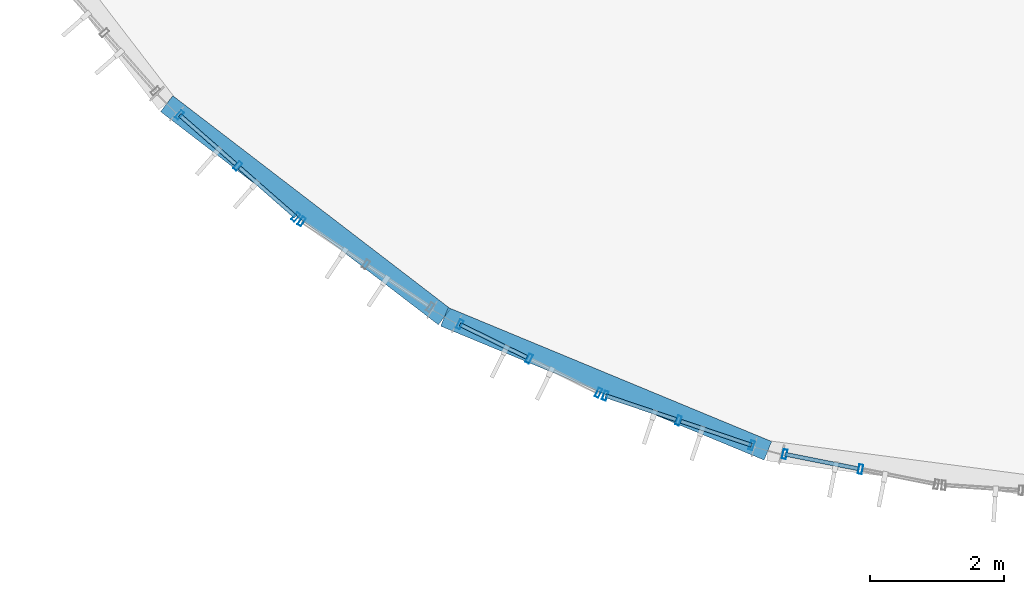
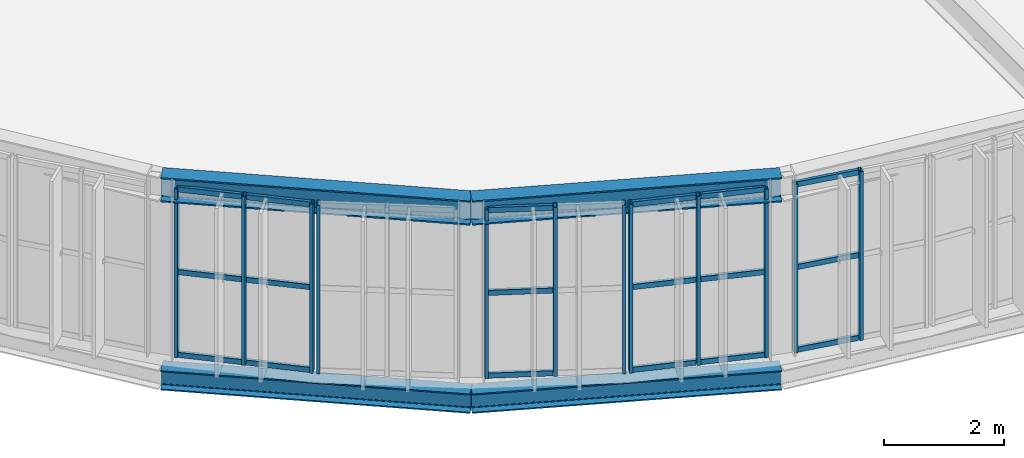
# One storey, part 13 of 152: 30 members, 4 beams, 5 elements without a shape of their own.
"""IFC4 building model written with IfcOpenShell, lengths in metres."""

from ifc_helpers import new_model, si_unit, derived_unit, direction, frame, origin, origin_2d, place, context, subcontext, project, spatial, hollow_rectangle, i_section, extrude, material, material_profile, profile_set, type_object, element, aggregate, save


model = new_model("IFC4")

# Units and contexts
model_context = context("Model", 3, precision=1e-05, world=origin(), true_north=direction((0.0, 1.0)))
body_context = subcontext(model_context, "Body", "Model", "MODEL_VIEW")
ifc_project = project(units=[si_unit("LENGTHUNIT", "METRE"), si_unit("AREAUNIT", "SQUARE_METRE"), si_unit("VOLUMEUNIT", "CUBIC_METRE"), si_unit("PLANEANGLEUNIT", "RADIAN"), si_unit("MASSUNIT", "GRAM", prefix="KILO"), si_unit("THERMODYNAMICTEMPERATUREUNIT", "KELVIN"), si_unit("TIMEUNIT", "SECOND"), derived_unit("THERMALTRANSMITTANCEUNIT", [(si_unit("MASSUNIT", "GRAM", prefix="KILO"), 1), (si_unit("THERMODYNAMICTEMPERATUREUNIT", "KELVIN"), -1), (si_unit("TIMEUNIT", "SECOND"), -3)])], contexts=[model_context])

# Site, building, storey
site_placement = place(None, origin())
site = spatial("IfcSite", under=ifc_project, at=site_placement, CompositionType="ELEMENT")
building_placement = place(site_placement, origin())
building = spatial("IfcBuilding", under=site, at=building_placement, Name="Cambertide Market Hall", CompositionType="ELEMENT")
storey_placement = place(building_placement, frame((0.0, 0.0, 5.39990234375)))
storey = spatial("IfcBuildingStorey", under=building, at=storey_placement, Name="L02", CompositionType="ELEMENT", Elevation=5.39990234375)

# Curtain wall, members
ifc_material_1 = material(Name="Marine Anodized Aluminium 6063-T6 AA25", Category="aluminium")
curtain_wall_type = type_object("IfcCurtainWallType", Name="Lantern Apse Chord Upper Curtain Wall", PredefinedType="USERDEFINED", material=ifc_material_1)
curtain_wall_1_placement = place(storey_placement, origin())
curtain_wall_1 = element("IfcCurtainWall", 1, at=curtain_wall_1_placement, inside=storey, type_object=curtain_wall_type, Name="Level 2 Curtain Wall CW-V1AW-L02-19", ObjectType="UNITIZED CURTAIN WALL", PredefinedType="USERDEFINED")
ifc_material_2 = material(Name="Champagne Marine Anodized Aluminium 6063-T6 AA25", Category="aluminium")
ifc_material_profile_1 = material_profile(ifc_material_2, hollow_rectangle(XDim=0.06005859375, YDim=0.139892578125, WallThickness=0.00341796875, at=origin_2d()), Name="ALU MULLION 60x140")
ifc_profile_set_1 = profile_set([ifc_material_profile_1], Name="Champagne Marine Anodized Aluminium 6063-T6 AA25")
member_type_1 = type_object("IfcMemberType", Name="Curtain Wall Mullion ALU MULLION 60x140", PredefinedType="MULLION", material=ifc_profile_set_1)
member_1_placement = place(storey_placement, frame((29.783447265625, 56.169189453125, 0.0), z_axis=(0.0, 0.0, 1.0), x_axis=(-0.751839834741, 0.659345784014, 0.0)))
member_1 = element("IfcMember", 2, at=member_1_placement, type_object=member_type_1, Name="CW-V1AW-L02-19 Mullion 1", PredefinedType="MULLION", context=body_context, shape_type="SweptSolid", body=[
    extrude(hollow_rectangle(XDim=0.06005859375, YDim=0.139892578125, WallThickness=0.00341796875, at=origin_2d()), origin(), (0.0, 0.0, 1.0), 3.4501953125),
])
member_2_placement = place(storey_placement, frame((28.91650390625, 56.929443359375, 0.0), z_axis=(0.0, 0.0, 1.0), x_axis=(-0.751839834741, 0.659345784014, 0.0)))
member_2 = element("IfcMember", 3, at=member_2_placement, type_object=member_type_1, Name="CW-V1AW-L02-19 Mullion 2", PredefinedType="MULLION", context=body_context, shape_type="SweptSolid", body=[
    extrude(hollow_rectangle(XDim=0.06005859375, YDim=0.139892578125, WallThickness=0.00341796875, at=origin_2d()), origin(), (0.0, 0.0, 1.0), 3.4501953125),
])
member_3_placement = place(storey_placement, frame((28.049560546875, 57.689697265625, 0.0), z_axis=(0.0, 0.0, 1.0), x_axis=(-0.751839834741, 0.659345784014, 0.0)))
member_3 = element("IfcMember", 4, at=member_3_placement, type_object=member_type_1, Name="CW-V1AW-L02-19 Mullion 3", PredefinedType="MULLION", context=body_context, shape_type="SweptSolid", body=[
    extrude(hollow_rectangle(XDim=0.06005859375, YDim=0.139892578125, WallThickness=0.00341796875, at=origin_2d()), origin(), (0.0, 0.0, 1.0), 3.4501953125),
])

# Curtain wall, member
curtain_wall_2_placement = place(storey_placement, origin())
curtain_wall_2 = element("IfcCurtainWall", 5, at=curtain_wall_2_placement, inside=storey, type_object=curtain_wall_type, Name="Level 2 Curtain Wall CW-V1AW-L02-20", ObjectType="UNITIZED CURTAIN WALL", PredefinedType="USERDEFINED")
member_4_placement = place(storey_placement, frame((29.87060546875, 56.102294921875, 0.0), z_axis=(0.0, 0.0, 1.0), x_axis=(-0.831469709481, 0.555570087582, 0.0)))
member_4 = element("IfcMember", 6, at=member_4_placement, type_object=member_type_1, Name="CW-V1AW-L02-20 Mullion 3", PredefinedType="MULLION", context=body_context, shape_type="SweptSolid", body=[
    extrude(hollow_rectangle(XDim=0.06005859375, YDim=0.139892578125, WallThickness=0.00341796875, at=origin_2d()), origin(), (0.0, 0.0, 1.0), 3.4501953125),
])
aggregate(curtain_wall_2, [member_4])

# Curtain wall, members
curtain_wall_3_placement = place(storey_placement, origin())
curtain_wall_3 = element("IfcCurtainWall", 7, at=curtain_wall_3_placement, inside=storey, type_object=curtain_wall_type, Name="Level 2 Curtain Wall CW-V1AW-L02-21", ObjectType="UNITIZED CURTAIN WALL", PredefinedType="USERDEFINED")
member_5_placement = place(storey_placement, frame((34.297119140625, 53.546630859375, 0.0), z_axis=(0.0, 0.0, 1.0), x_axis=(-0.896872650645, 0.442288874522, 0.0)))
member_5 = element("IfcMember", 8, at=member_5_placement, type_object=member_type_1, Name="CW-V1AW-L02-21 Mullion 1", PredefinedType="MULLION", context=body_context, shape_type="SweptSolid", body=[
    extrude(hollow_rectangle(XDim=0.06005859375, YDim=0.139892578125, WallThickness=0.00341796875, at=origin_2d()), origin(), (0.0, 0.0, 1.0), 3.4501953125),
])
member_6_placement = place(storey_placement, frame((33.262939453125, 54.056640625, 0.0), z_axis=(0.0, 0.0, 1.0), x_axis=(-0.896872650645, 0.442288874522, 0.0)))
member_6 = element("IfcMember", 9, at=member_6_placement, type_object=member_type_1, Name="CW-V1AW-L02-21 Mullion 2", PredefinedType="MULLION", context=body_context, shape_type="SweptSolid", body=[
    extrude(hollow_rectangle(XDim=0.06005859375, YDim=0.139892578125, WallThickness=0.00341796875, at=origin_2d()), origin(), (0.0, 0.0, 1.0), 3.4501953125),
])
member_7_placement = place(storey_placement, frame((32.228759765625, 54.566650390625, 0.0), z_axis=(0.0, 0.0, 1.0), x_axis=(-0.896872650645, 0.442288874522, 0.0)))
member_7 = element("IfcMember", 10, at=member_7_placement, type_object=member_type_1, Name="CW-V1AW-L02-21 Mullion 3", PredefinedType="MULLION", context=body_context, shape_type="SweptSolid", body=[
    extrude(hollow_rectangle(XDim=0.06005859375, YDim=0.139892578125, WallThickness=0.00341796875, at=origin_2d()), origin(), (0.0, 0.0, 1.0), 3.4501953125),
])

curtain_wall_4_placement = place(storey_placement, origin())
curtain_wall_4 = element("IfcCurtainWall", 11, at=curtain_wall_4_placement, inside=storey, type_object=curtain_wall_type, Name="Level 2 Curtain Wall CW-V1AW-L02-22", ObjectType="UNITIZED CURTAIN WALL", PredefinedType="USERDEFINED")
member_8_placement = place(storey_placement, frame((36.58203125, 52.763427734375, 0.0), z_axis=(0.0, 0.0, 1.0), x_axis=(-0.94693012508, 0.32143947831, 0.0)))
member_8 = element("IfcMember", 12, at=member_8_placement, type_object=member_type_1, Name="CW-V1AW-L02-22 Mullion 1", PredefinedType="MULLION", context=body_context, shape_type="SweptSolid", body=[
    extrude(hollow_rectangle(XDim=0.06005859375, YDim=0.139892578125, WallThickness=0.00341796875, at=origin_2d()), origin(), (0.0, 0.0, 1.0), 3.4501953125),
])
member_9_placement = place(storey_placement, frame((35.490234375, 53.134033203125, 0.0), z_axis=(0.0, 0.0, 1.0), x_axis=(-0.94693012508, 0.32143947831, 0.0)))
member_9 = element("IfcMember", 13, at=member_9_placement, type_object=member_type_1, Name="CW-V1AW-L02-22 Mullion 2", PredefinedType="MULLION", context=body_context, shape_type="SweptSolid", body=[
    extrude(hollow_rectangle(XDim=0.06005859375, YDim=0.139892578125, WallThickness=0.00341796875, at=origin_2d()), origin(), (0.0, 0.0, 1.0), 3.4501953125),
])
member_10_placement = place(storey_placement, frame((34.3984375, 53.504638671875, 0.0), z_axis=(0.0, 0.0, 1.0), x_axis=(-0.94693012508, 0.32143947831, 0.0)))
member_10 = element("IfcMember", 14, at=member_10_placement, type_object=member_type_1, Name="CW-V1AW-L02-22 Mullion 3", PredefinedType="MULLION", context=body_context, shape_type="SweptSolid", body=[
    extrude(hollow_rectangle(XDim=0.06005859375, YDim=0.139892578125, WallThickness=0.00341796875, at=origin_2d()), origin(), (0.0, 0.0, 1.0), 3.4501953125),
])

curtain_wall_5_placement = place(storey_placement, origin())
curtain_wall_5 = element("IfcCurtainWall", 15, at=curtain_wall_5_placement, inside=storey, type_object=curtain_wall_type, Name="Level 2 Curtain Wall CW-V1AW-L02-23", ObjectType="UNITIZED CURTAIN WALL", PredefinedType="USERDEFINED")
member_11_placement = place(storey_placement, frame((38.20458984375, 52.40673828125, 0.0), z_axis=(0.0, 0.0, 1.0), x_axis=(-0.980785330885, 0.195090068226, 0.0)))
member_11 = element("IfcMember", 16, at=member_11_placement, type_object=member_type_1, Name="CW-V1AW-L02-23 Mullion 2", PredefinedType="MULLION", context=body_context, shape_type="SweptSolid", body=[
    extrude(hollow_rectangle(XDim=0.06005859375, YDim=0.139892578125, WallThickness=0.00341796875, at=origin_2d()), origin(), (0.0, 0.0, 1.0), 3.4501953125),
])
member_12_placement = place(storey_placement, frame((37.07373046875, 52.6318359375, 0.0), z_axis=(0.0, 0.0, 1.0), x_axis=(-0.980785330885, 0.195090068226, 0.0)))
member_12 = element("IfcMember", 17, at=member_12_placement, type_object=member_type_1, Name="CW-V1AW-L02-23 Mullion 3", PredefinedType="MULLION", context=body_context, shape_type="SweptSolid", body=[
    extrude(hollow_rectangle(XDim=0.06005859375, YDim=0.139892578125, WallThickness=0.00341796875, at=origin_2d()), origin(), (0.0, 0.0, 1.0), 3.4501953125),
])

# Member
ifc_material_3 = material(Name="Champagne Marine Anodized Aluminium 6063-T6 AA25", Category="aluminium")
ifc_material_profile_2 = material_profile(ifc_material_3, hollow_rectangle(XDim=0.06005859375, YDim=0.10498046875, WallThickness=0.0029296875, at=origin_2d()), Name="ALU TRANSOM 60x105")
ifc_profile_set_2 = profile_set([ifc_material_profile_2], Name="Champagne Marine Anodized Aluminium 6063-T6 AA25")
member_type_2 = type_object("IfcMemberType", Name="Curtain Wall Transom ALU TRANSOM 60x105", PredefinedType="USERDEFINED", material=ifc_profile_set_2)
member_13_placement = place(storey_placement, frame((29.779541015625, 56.172607421875, 0.03515625), z_axis=(-0.751866427049, 0.659315460062, 0.0), x_axis=(-0.659315460062, -0.751866427049, 0.0)))
member_13 = element("IfcMember", 18, at=member_13_placement, type_object=member_type_2, Name="CW-V1AW-L02-19 Transom 1-1", ObjectType="TRANSOM", PredefinedType="USERDEFINED", context=body_context, shape_type="SweptSolid", body=[
    extrude(hollow_rectangle(XDim=0.06005859375, YDim=0.10498046875, WallThickness=0.0029296875, at=origin_2d()), origin(), (0.0, 0.0, 1.0), 1.10791015625),
])

member_14_placement = place(storey_placement, frame((28.886474609375, 56.955810546875, 0.03515625), z_axis=(-0.751852984677, 0.659330789082, 0.0), x_axis=(-0.659330789082, -0.751852984677, 0.0)))
member_14 = element("IfcMember", 19, at=member_14_placement, type_object=member_type_2, Name="CW-V1AW-L02-19 Transom 1-2", ObjectType="TRANSOM", PredefinedType="USERDEFINED", context=body_context, shape_type="SweptSolid", body=[
    extrude(hollow_rectangle(XDim=0.06005859375, YDim=0.10498046875, WallThickness=0.0029296875, at=origin_2d()), origin(), (0.0, 0.0, 1.0), 1.108154296875),
])

member_15_placement = place(storey_placement, frame((29.779541015625, 56.172607421875, 1.72509765625), z_axis=(-0.751866427049, 0.659315460062, 0.0), x_axis=(-0.659315460062, -0.751866427049, 0.0)))
member_15 = element("IfcMember", 20, at=member_15_placement, type_object=member_type_2, Name="CW-V1AW-L02-19 Transom 2-1", ObjectType="TRANSOM", PredefinedType="USERDEFINED", context=body_context, shape_type="SweptSolid", body=[
    extrude(hollow_rectangle(XDim=0.06005859375, YDim=0.10498046875, WallThickness=0.0029296875, at=origin_2d()), origin(), (0.0, 0.0, 1.0), 1.10791015625),
])

member_16_placement = place(storey_placement, frame((28.886474609375, 56.955810546875, 1.72509765625), z_axis=(-0.751852984677, 0.659330789082, 0.0), x_axis=(-0.659330789082, -0.751852984677, 0.0)))
member_16 = element("IfcMember", 21, at=member_16_placement, type_object=member_type_2, Name="CW-V1AW-L02-19 Transom 2-2", ObjectType="TRANSOM", PredefinedType="USERDEFINED", context=body_context, shape_type="SweptSolid", body=[
    extrude(hollow_rectangle(XDim=0.06005859375, YDim=0.10498046875, WallThickness=0.0029296875, at=origin_2d()), origin(), (0.0, 0.0, 1.0), 1.108154296875),
])

member_17_placement = place(storey_placement, frame((29.779541015625, 56.172607421875, 3.4150390625), z_axis=(-0.751866427049, 0.659315460062, 0.0), x_axis=(-0.659315460062, -0.751866427049, 0.0)))
member_17 = element("IfcMember", 22, at=member_17_placement, type_object=member_type_2, Name="CW-V1AW-L02-19 Transom 3-1", ObjectType="TRANSOM", PredefinedType="USERDEFINED", context=body_context, shape_type="SweptSolid", body=[
    extrude(hollow_rectangle(XDim=0.06005859375, YDim=0.10498046875, WallThickness=0.0029296875, at=origin_2d()), origin(), (0.0, 0.0, 1.0), 1.10791015625),
])

member_18_placement = place(storey_placement, frame((28.886474609375, 56.955810546875, 3.4150390625), z_axis=(-0.751852984677, 0.659330789082, 0.0), x_axis=(-0.659330789082, -0.751852984677, 0.0)))
member_18 = element("IfcMember", 23, at=member_18_placement, type_object=member_type_2, Name="CW-V1AW-L02-19 Transom 3-2", ObjectType="TRANSOM", PredefinedType="USERDEFINED", context=body_context, shape_type="SweptSolid", body=[
    extrude(hollow_rectangle(XDim=0.06005859375, YDim=0.10498046875, WallThickness=0.0029296875, at=origin_2d()), origin(), (0.0, 0.0, 1.0), 1.108154296875),
])

aggregate(curtain_wall_1, [member_1, member_2, member_3, member_13, member_14, member_15, member_16, member_17, member_18])

member_19_placement = place(storey_placement, frame((33.22705078125, 54.074462890625, 0.03515625), z_axis=(-0.896924738521, 0.442183235129, 0.0), x_axis=(-0.442183235129, -0.896924738521, 0.0)))
member_19 = element("IfcMember", 24, at=member_19_placement, type_object=member_type_2, Name="CW-V1AW-L02-21 Transom 1-2", ObjectType="TRANSOM", PredefinedType="USERDEFINED", context=body_context, shape_type="SweptSolid", body=[
    extrude(hollow_rectangle(XDim=0.06005859375, YDim=0.10498046875, WallThickness=0.0029296875, at=origin_2d()), origin(), (0.0, 0.0, 1.0), 1.108154296875),
])

member_20_placement = place(storey_placement, frame((33.22705078125, 54.074462890625, 1.72509765625), z_axis=(-0.896924738521, 0.442183235129, 0.0), x_axis=(-0.442183235129, -0.896924738521, 0.0)))
member_20 = element("IfcMember", 25, at=member_20_placement, type_object=member_type_2, Name="CW-V1AW-L02-21 Transom 2-2", ObjectType="TRANSOM", PredefinedType="USERDEFINED", context=body_context, shape_type="SweptSolid", body=[
    extrude(hollow_rectangle(XDim=0.06005859375, YDim=0.10498046875, WallThickness=0.0029296875, at=origin_2d()), origin(), (0.0, 0.0, 1.0), 1.108154296875),
])

member_21_placement = place(storey_placement, frame((33.22705078125, 54.074462890625, 3.4150390625), z_axis=(-0.896924738521, 0.442183235129, 0.0), x_axis=(-0.442183235129, -0.896924738521, 0.0)))
member_21 = element("IfcMember", 26, at=member_21_placement, type_object=member_type_2, Name="CW-V1AW-L02-21 Transom 3-2", ObjectType="TRANSOM", PredefinedType="USERDEFINED", context=body_context, shape_type="SweptSolid", body=[
    extrude(hollow_rectangle(XDim=0.06005859375, YDim=0.10498046875, WallThickness=0.0029296875, at=origin_2d()), origin(), (0.0, 0.0, 1.0), 1.108154296875),
])

aggregate(curtain_wall_3, [member_5, member_6, member_7, member_19, member_20, member_21])

member_22_placement = place(storey_placement, frame((36.577392578125, 52.76513671875, 0.03515625), z_axis=(-0.946928413037, 0.321444521782, 0.0), x_axis=(-0.321444521782, -0.946928413037, 0.0)))
member_22 = element("IfcMember", 27, at=member_22_placement, type_object=member_type_2, Name="CW-V1AW-L02-22 Transom 1-1", ObjectType="TRANSOM", PredefinedType="USERDEFINED", context=body_context, shape_type="SweptSolid", body=[
    extrude(hollow_rectangle(XDim=0.06005859375, YDim=0.10498046875, WallThickness=0.0029296875, at=origin_2d()), origin(), (0.0, 0.0, 1.0), 1.108154296875),
])

member_23_placement = place(storey_placement, frame((35.452392578125, 53.14697265625, 0.03515625), z_axis=(-0.946928413037, 0.321444521782, 0.0), x_axis=(-0.321444521782, -0.946928413037, 0.0)))
member_23 = element("IfcMember", 28, at=member_23_placement, type_object=member_type_2, Name="CW-V1AW-L02-22 Transom 1-2", ObjectType="TRANSOM", PredefinedType="USERDEFINED", context=body_context, shape_type="SweptSolid", body=[
    extrude(hollow_rectangle(XDim=0.06005859375, YDim=0.10498046875, WallThickness=0.0029296875, at=origin_2d()), origin(), (0.0, 0.0, 1.0), 1.108154296875),
])

member_24_placement = place(storey_placement, frame((36.577392578125, 52.76513671875, 1.72509765625), z_axis=(-0.946928413037, 0.321444521782, 0.0), x_axis=(-0.321444521782, -0.946928413037, 0.0)))
member_24 = element("IfcMember", 29, at=member_24_placement, type_object=member_type_2, Name="CW-V1AW-L02-22 Transom 2-1", ObjectType="TRANSOM", PredefinedType="USERDEFINED", context=body_context, shape_type="SweptSolid", body=[
    extrude(hollow_rectangle(XDim=0.06005859375, YDim=0.10498046875, WallThickness=0.0029296875, at=origin_2d()), origin(), (0.0, 0.0, 1.0), 1.108154296875),
])

member_25_placement = place(storey_placement, frame((35.452392578125, 53.14697265625, 1.72509765625), z_axis=(-0.946928413037, 0.321444521782, 0.0), x_axis=(-0.321444521782, -0.946928413037, 0.0)))
member_25 = element("IfcMember", 30, at=member_25_placement, type_object=member_type_2, Name="CW-V1AW-L02-22 Transom 2-2", ObjectType="TRANSOM", PredefinedType="USERDEFINED", context=body_context, shape_type="SweptSolid", body=[
    extrude(hollow_rectangle(XDim=0.06005859375, YDim=0.10498046875, WallThickness=0.0029296875, at=origin_2d()), origin(), (0.0, 0.0, 1.0), 1.108154296875),
])

member_26_placement = place(storey_placement, frame((36.577392578125, 52.76513671875, 3.4150390625), z_axis=(-0.946928413037, 0.321444521782, 0.0), x_axis=(-0.321444521782, -0.946928413037, 0.0)))
member_26 = element("IfcMember", 31, at=member_26_placement, type_object=member_type_2, Name="CW-V1AW-L02-22 Transom 3-1", ObjectType="TRANSOM", PredefinedType="USERDEFINED", context=body_context, shape_type="SweptSolid", body=[
    extrude(hollow_rectangle(XDim=0.06005859375, YDim=0.10498046875, WallThickness=0.0029296875, at=origin_2d()), origin(), (0.0, 0.0, 1.0), 1.108154296875),
])

member_27_placement = place(storey_placement, frame((35.452392578125, 53.14697265625, 3.4150390625), z_axis=(-0.946928413037, 0.321444521782, 0.0), x_axis=(-0.321444521782, -0.946928413037, 0.0)))
member_27 = element("IfcMember", 32, at=member_27_placement, type_object=member_type_2, Name="CW-V1AW-L02-22 Transom 3-2", ObjectType="TRANSOM", PredefinedType="USERDEFINED", context=body_context, shape_type="SweptSolid", body=[
    extrude(hollow_rectangle(XDim=0.06005859375, YDim=0.10498046875, WallThickness=0.0029296875, at=origin_2d()), origin(), (0.0, 0.0, 1.0), 1.108154296875),
])

aggregate(curtain_wall_4, [member_8, member_9, member_10, member_22, member_23, member_24, member_25, member_26, member_27])

member_28_placement = place(storey_placement, frame((38.165283203125, 52.41455078125, 0.03515625), z_axis=(-0.980758243369, 0.195226197175, 0.0), x_axis=(-0.195226197175, -0.980758243369, 0.0)))
member_28 = element("IfcMember", 33, at=member_28_placement, type_object=member_type_2, Name="CW-V1AW-L02-23 Transom 1-2", ObjectType="TRANSOM", PredefinedType="USERDEFINED", context=body_context, shape_type="SweptSolid", body=[
    extrude(hollow_rectangle(XDim=0.06005859375, YDim=0.10498046875, WallThickness=0.0029296875, at=origin_2d()), origin(), (0.0, 0.0, 1.0), 1.10791015625),
])

member_29_placement = place(storey_placement, frame((38.165283203125, 52.41455078125, 1.72509765625), z_axis=(-0.980758243369, 0.195226197175, 0.0), x_axis=(-0.195226197175, -0.980758243369, 0.0)))
member_29 = element("IfcMember", 34, at=member_29_placement, type_object=member_type_2, Name="CW-V1AW-L02-23 Transom 2-2", ObjectType="TRANSOM", PredefinedType="USERDEFINED", context=body_context, shape_type="SweptSolid", body=[
    extrude(hollow_rectangle(XDim=0.06005859375, YDim=0.10498046875, WallThickness=0.0029296875, at=origin_2d()), origin(), (0.0, 0.0, 1.0), 1.10791015625),
])

member_30_placement = place(storey_placement, frame((38.165283203125, 52.41455078125, 3.4150390625), z_axis=(-0.980758243369, 0.195226197175, 0.0), x_axis=(-0.195226197175, -0.980758243369, 0.0)))
member_30 = element("IfcMember", 35, at=member_30_placement, type_object=member_type_2, Name="CW-V1AW-L02-23 Transom 3-2", ObjectType="TRANSOM", PredefinedType="USERDEFINED", context=body_context, shape_type="SweptSolid", body=[
    extrude(hollow_rectangle(XDim=0.06005859375, YDim=0.10498046875, WallThickness=0.0029296875, at=origin_2d()), origin(), (0.0, 0.0, 1.0), 1.10791015625),
])

aggregate(curtain_wall_5, [member_11, member_12, member_28, member_29, member_30])

# Beams
ifc_material_4 = material(Name="Steel S355", Category="steel")
ifc_material_profile_3 = material_profile(ifc_material_4, i_section(OverallWidth=0.300048828125, OverallDepth=0.5, WebThickness=0.014404296875, FlangeThickness=0.028076171875, FilletRadius=0.027099609375, at=origin_2d()), Name="HEB 500")
ifc_profile_set_3 = profile_set([ifc_material_profile_3], Name="Steel S355")
beam_type_1 = type_object("IfcBeamType", Name="Exterior Steel Girder HEB 500", PredefinedType="BEAM", material=ifc_profile_set_3)
beam_1_placement = place(storey_placement, frame((27.85791015625, 57.85791015625, 3.4501953125), z_axis=(0.793341363525, -0.608777037117, 0.0), x_axis=(0.608777037117, 0.793341363525, 0.0)))
element("IfcBeam", 36, at=beam_1_placement, inside=storey, type_object=beam_type_1, Name="Level 2 Beam EAVE-V1AW-10", PredefinedType="BEAM", context=body_context, shape_type="SweptSolid", body=[
    extrude(i_section(OverallWidth=0.300048828125, OverallDepth=0.5, WebThickness=0.014404296875, FlangeThickness=0.028076171875, FilletRadius=0.027099609375, at=origin_2d()), origin(), (0.0, 0.0, 1.0), 5.220947265625),
])
beam_2_placement = place(storey_placement, frame((32.0, 54.679443359375, 3.4501953125), z_axis=(0.923880054352, -0.382682172528, 0.0), x_axis=(0.382682172528, 0.923880054352, 0.0)))
element("IfcBeam", 37, at=beam_2_placement, inside=storey, type_object=beam_type_1, Name="Level 2 Beam EAVE-V1AW-11", PredefinedType="BEAM", context=body_context, shape_type="SweptSolid", body=[
    extrude(i_section(OverallWidth=0.300048828125, OverallDepth=0.5, WebThickness=0.014404296875, FlangeThickness=0.028076171875, FilletRadius=0.027099609375, at=origin_2d()), origin(), (0.0, 0.0, 1.0), 5.22119140625),
])
ifc_material_5 = material(Name="Steel S355", Category="steel")
ifc_material_profile_4 = material_profile(ifc_material_5, i_section(OverallWidth=0.300048828125, OverallDepth=0.39990234375, WebThickness=0.013427734375, FlangeThickness=0.02392578125, FilletRadius=0.027099609375, at=origin_2d()), Name="HEB 400")
ifc_profile_set_4 = profile_set([ifc_material_profile_4], Name="Steel S355")
beam_type_2 = type_object("IfcBeamType", Name="Steel Girder HEB 400", PredefinedType="BEAM", material=ifc_profile_set_4)
beam_3_placement = place(storey_placement, frame((27.85791015625, 57.85791015625, -0.43994140625), z_axis=(0.793341363525, -0.608777037117, 0.0), x_axis=(0.608777037117, 0.793341363525, 0.0)))
element("IfcBeam", 38, at=beam_3_placement, inside=storey, type_object=beam_type_2, Name="Level 2 Beam BM-V1AW-L02-10", PredefinedType="BEAM", context=body_context, shape_type="SweptSolid", body=[
    extrude(i_section(OverallWidth=0.300048828125, OverallDepth=0.39990234375, WebThickness=0.013427734375, FlangeThickness=0.02392578125, FilletRadius=0.027099609375, at=origin_2d()), origin(), (0.0, 0.0, 1.0), 5.220947265625),
])
beam_4_placement = place(storey_placement, frame((32.0, 54.679443359375, -0.43994140625), z_axis=(0.923880054352, -0.382682172528, 0.0), x_axis=(0.382682172528, 0.923880054352, 0.0)))
element("IfcBeam", 39, at=beam_4_placement, inside=storey, type_object=beam_type_2, Name="Level 2 Beam BM-V1AW-L02-11", PredefinedType="BEAM", context=body_context, shape_type="SweptSolid", body=[
    extrude(i_section(OverallWidth=0.300048828125, OverallDepth=0.39990234375, WebThickness=0.013427734375, FlangeThickness=0.02392578125, FilletRadius=0.027099609375, at=origin_2d()), origin(), (0.0, 0.0, 1.0), 5.22119140625),
])

save(model, "model.ifc")
